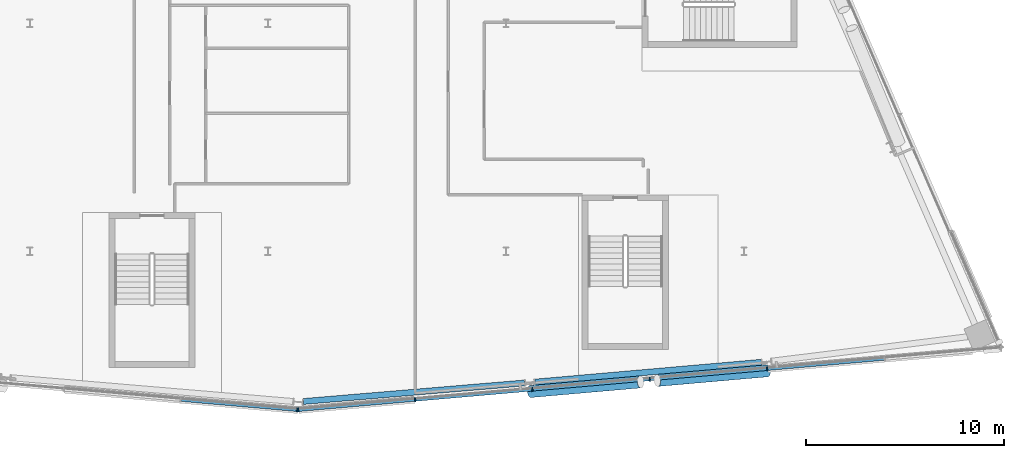
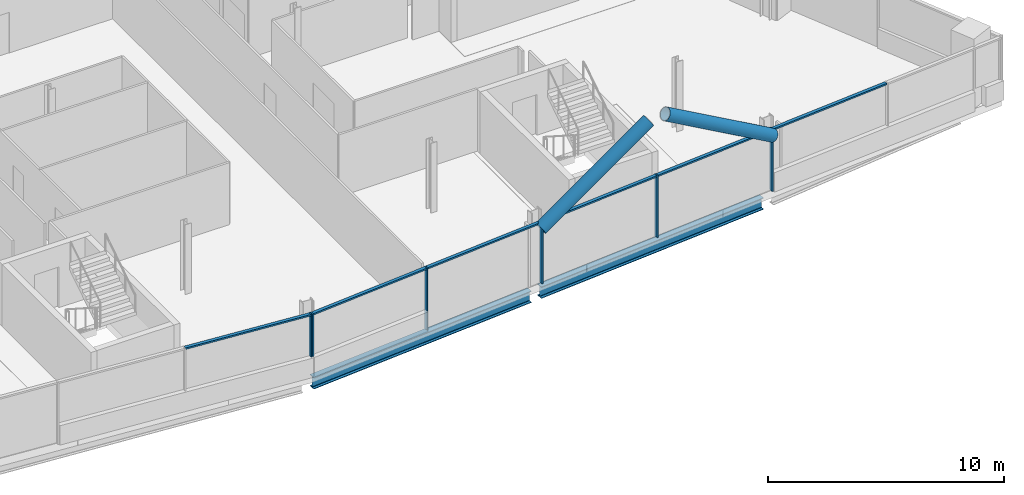
# One storey, part 8 of 25: 14 members, 2 beams, 2 elements without a shape of their own.
"""IFC4 building model written with IfcOpenShell, lengths in metres."""

import ifcopenshell
import ifcopenshell.guid

model = None  # the IFC model being written
_history = None  # IfcOwnerHistory: only IFC2X3 demands one
_inside = {}  # id of a spatial element -> (the spatial element, [elements in it])
_under = {}  # id of a project, library or spatial element -> (it, [spatial elements below it])
_declared = {}  # id of a project -> (the project, [libraries it declares])
_typed = {}  # id of a type object -> (the type object, [elements of that type])
_made_of = {}  # id of a material, layer set ... -> (it, [elements and type objects made of it])


def new_model(schema):
    """Start an empty IFC model of exactly this schema.

    Asked for "IFC4X3", IfcOpenShell would pick the latest addendum, in which some entities
    have other attributes; the version numbers below select the first issue.
    IFC2X3 requires an IfcOwnerHistory on every rooted entity: one is made here for all.
    """
    global model, _history
    if schema == "IFC4X3":
        model = ifcopenshell.file(schema_version=(4, 3, 0, 0))
    else:
        model = ifcopenshell.file(schema=schema)
    _inside.clear()
    _under.clear()
    _declared.clear()
    _typed.clear()
    _made_of.clear()
    _history = None
    if model.schema == "IFC2X3":
        org = make("IfcOrganization", Name="unknown")
        user = make(
            "IfcPersonAndOrganization",
            ThePerson=make("IfcPerson", FamilyName="unknown"),
            TheOrganization=org,
        )
        app = make(
            "IfcApplication",
            ApplicationDeveloper=org,
            Version="unknown",
            ApplicationFullName="unknown",
            ApplicationIdentifier="unknown",
        )
        _history = make(
            "IfcOwnerHistory",
            OwningUser=user,
            OwningApplication=app,
            ChangeAction="ADDED",
            CreationDate=0,
        )
    return model


def make(cls, **values):
    """One entity of the class cls with the attributes given. An attribute that is None is left unset."""
    return model.create_entity(
        cls, **{name: value for name, value in values.items() if value is not None}
    )


def rooted(cls, **values):
    """An entity with a GlobalId (a new one), such as an element, a storey or a relation."""
    return make(cls, GlobalId=ifcopenshell.guid.new(), OwnerHistory=_history, **values)


def si_unit(unit_type, name, prefix=None):
    """IfcSIUnit, for example si_unit("LENGTHUNIT", "METRE", prefix="MILLI")."""
    return make("IfcSIUnit", UnitType=unit_type, Prefix=prefix, Name=name)


def assignment(units):
    """IfcUnitAssignment: the units of a project."""
    return None if units is None else make("IfcUnitAssignment", Units=units)


def point(xyz):
    """IfcCartesianPoint."""
    return None if xyz is None else make("IfcCartesianPoint", Coordinates=xyz)


def direction(xyz):
    """IfcDirection."""
    return None if xyz is None else make("IfcDirection", DirectionRatios=xyz)


def frame(location, z_axis=None, x_axis=None):
    """IfcAxis2Placement3D, a coordinate frame: its origin and axes. An axis left out is left unset."""
    return make(
        "IfcAxis2Placement3D",
        Location=point(location),
        Axis=direction(z_axis),
        RefDirection=direction(x_axis),
    )


def frame_2d(location, x_axis=None):
    """IfcAxis2Placement2D, a coordinate frame in the plane: its origin and x axis."""
    return make(
        "IfcAxis2Placement2D", Location=point(location), RefDirection=direction(x_axis)
    )


def origin():
    """The frame at (0, 0, 0) with its axes left unset."""
    return frame((0.0, 0.0, 0.0))


def origin_2d():
    """The frame at (0, 0) in the plane with its x axis left unset."""
    return frame_2d((0.0, 0.0))


def place(relative_to, where):
    """IfcLocalPlacement: puts the frame where relative to a parent placement (None: the world)."""
    return make(
        "IfcLocalPlacement", PlacementRelTo=relative_to, RelativePlacement=where
    )


def context(
    kind, dimensions, precision=None, world=None, true_north=None, identifier=None
):
    """IfcGeometricRepresentationContext, for example the 3D "Model" context."""
    return make(
        "IfcGeometricRepresentationContext",
        ContextIdentifier=identifier,
        ContextType=kind,
        CoordinateSpaceDimension=dimensions,
        Precision=precision,
        WorldCoordinateSystem=world,
        TrueNorth=true_north,
    )


def subcontext(parent, identifier, kind, view, scale=None):
    """IfcGeometricRepresentationSubContext, for example "Body" below "Model"."""
    return make(
        "IfcGeometricRepresentationSubContext",
        ContextIdentifier=identifier,
        ContextType=kind,
        ParentContext=parent,
        TargetScale=scale,
        TargetView=view,
    )


def project(units=None, contexts=None):
    """IfcProject with its units and contexts."""
    return rooted(
        "IfcProject",
        Name="project",
        RepresentationContexts=contexts,
        UnitsInContext=assignment(units),
    )


def spatial(cls, under=None, at=None, **own):
    """A site, building, storey or space (cls), placed at a placement, below another one or the project."""
    s = rooted(cls, ObjectPlacement=at, **own)
    if under is not None:
        _under.setdefault(under.id(), (under, []))[1].append(s)
    return s


def profile(cls, at=None, kind="AREA", **sizes):
    """A parametric profile (cls). Its sizes go by their IFC names, for example OverallWidth=200.0."""
    return make(cls, ProfileType=kind, Position=at, **sizes)


def rectangle(**sizes):
    """IfcRectangleProfileDef."""
    return profile("IfcRectangleProfileDef", **sizes)


def hollow_circle(**sizes):
    """IfcCircleHollowProfileDef."""
    return profile("IfcCircleHollowProfileDef", **sizes)


def i_section(**sizes):
    """IfcIShapeProfileDef."""
    return profile("IfcIShapeProfileDef", **sizes)


def extrude(swept, where, along, depth):
    """IfcExtrudedAreaSolid: the profile swept, set in the frame where, extruded along a direction by depth."""
    return make(
        "IfcExtrudedAreaSolid",
        SweptArea=swept,
        Position=where,
        ExtrudedDirection=direction(along),
        Depth=depth,
    )


def shape(context_of_items, identifier, shape_type, items):
    """IfcShapeRepresentation: the items that make up one representation, for example the "Body"."""
    return make(
        "IfcShapeRepresentation",
        ContextOfItems=context_of_items,
        RepresentationIdentifier=identifier,
        RepresentationType=shape_type,
        Items=items,
    )


def material(Name=None, Category=None):
    """IfcMaterial."""
    return make("IfcMaterial", Name=Name, Category=Category)


def material_profile(
    of_material, cross_section, Name=None, Category=None, Priority=None
):
    """IfcMaterialProfile: a cross section and its material."""
    return make(
        "IfcMaterialProfile",
        Name=Name,
        Material=of_material,
        Profile=cross_section,
        Priority=Priority,
        Category=Category,
    )


def profile_set(profiles, Name=None, composite=None):
    """IfcMaterialProfileSet."""
    return make(
        "IfcMaterialProfileSet",
        Name=Name,
        MaterialProfiles=profiles,
        CompositeProfile=composite,
    )


def made_of(thing, what):
    """Note that an element or type object is made of a material, layer set ...; save() writes the relation."""
    if what is not None:
        _made_of.setdefault(what.id(), (what, []))[1].append(thing)
    return thing


def type_object(cls, material=None, **own):
    """A type object (cls), such as IfcWallType, which elements share."""
    return made_of(rooted(cls, **own), material)


def element(
    cls,
    number,
    at=None,
    inside=None,
    cuts=None,
    type_object=None,
    material=None,
    context=None,
    identifier="Body",
    shape_type=None,
    held_by="IfcProductDefinitionShape",
    body=None,
    shapes=None,
    **own,
):
    """One element of the class cls, such as IfcWall. Its Tag is "e" and its number.

    at: its placement. inside: the storey or other place that contains it. cuts: it is an
    opening in that element (IfcRelVoidsElement). A single representation is given by context,
    identifier, shape_type and body (its items); several are given by shapes. held_by: the class
    of the entity that holds the representations. save() writes the other relations.
    """
    e = rooted(cls, Tag="e%d" % number, ObjectPlacement=at, **own)
    if body is not None:
        shapes = [shape(context, identifier, shape_type, body)]
    if shapes is not None:
        e.Representation = make(held_by, Representations=shapes)
    if inside is not None:
        _inside.setdefault(inside.id(), (inside, []))[1].append(e)
    if cuts is not None:
        rooted(
            "IfcRelVoidsElement", RelatingBuildingElement=cuts, RelatedOpeningElement=e
        )
    if type_object is not None:
        _typed.setdefault(type_object.id(), (type_object, []))[1].append(e)
    return made_of(e, material)


def aggregate(whole, parts):
    """IfcRelAggregates: a whole, such as a stair, and the parts it consists of."""
    return rooted("IfcRelAggregates", RelatingObject=whole, RelatedObjects=parts)


def save(model, path):
    """Write the relations noted so far, then the file.

    IfcRelAggregates (storeys below a building ...), IfcRelContainedInSpatialStructure (elements
    in a storey), IfcRelDefinesByType, IfcRelAssociatesMaterial and IfcRelDeclares: one each for
    every whole, place, type object, material and project.
    """
    for whole, parts in _under.values():
        aggregate(whole, parts)
    for where, things in _inside.values():
        rooted(
            "IfcRelContainedInSpatialStructure",
            RelatedElements=things,
            RelatingStructure=where,
        )
    for kind, things in _typed.values():
        rooted("IfcRelDefinesByType", RelatedObjects=things, RelatingType=kind)
    for what, things in _made_of.values():
        rooted("IfcRelAssociatesMaterial", RelatedObjects=things, RelatingMaterial=what)
    for by, libraries in _declared.values():
        rooted("IfcRelDeclares", RelatingContext=by, RelatedDefinitions=libraries)
    model.write(path)


model = new_model("IFC4")

# Units and contexts
model_context = context("Model", 3, precision=1e-05, world=origin(), true_north=direction((0.0, 1.0)))
body_context = subcontext(model_context, "Body", "Model", "MODEL_VIEW")
ifc_project = project(units=[si_unit("LENGTHUNIT", "METRE"), si_unit("AREAUNIT", "SQUARE_METRE"), si_unit("VOLUMEUNIT", "CUBIC_METRE"), si_unit("PLANEANGLEUNIT", "RADIAN"), si_unit("MASSUNIT", "GRAM", prefix="KILO")], contexts=[model_context])

# Site, building, storey
site_placement = place(None, origin())
site = spatial("IfcSite", under=ifc_project, at=site_placement, CompositionType="ELEMENT")
building_placement = place(site_placement, origin())
building = spatial("IfcBuilding", under=site, at=building_placement, Name="Wharfspan Tower", CompositionType="ELEMENT")
storey_placement = place(building_placement, frame((0.0, 0.0, 232.300049)))
storey = spatial("IfcBuildingStorey", under=building, at=storey_placement, Name="L58", CompositionType="ELEMENT", Elevation=232.300049)

# Beams
ifc_material_1 = material(Name="Steel S355J2", Category="steel")
ifc_material_profile_1 = material_profile(ifc_material_1, i_section(OverallWidth=0.300049, OverallDepth=0.600098, WebThickness=0.015381, FlangeThickness=0.030029, FilletRadius=0.0271, at=origin_2d()))
ifc_profile_set_1 = profile_set([ifc_material_profile_1], Name="Steel S355J2")
beam_type = type_object("IfcBeamType", Name="Edge beam HEB 600", PredefinedType="SPANDREL", material=ifc_profile_set_1)
beam_1_placement = place(storey_placement, frame((49.783691, 3.923828, -0.699951), z_axis=(0.996517, 0.083395, 0.0), x_axis=(-0.083395, 0.996517, 0.0)))
element("IfcBeam", 1, at=beam_1_placement, inside=storey, type_object=beam_type, Name="Edge beam S2 L58 PS1.3 to PS2.1", PredefinedType="SPANDREL", context=body_context, shape_type="SweptSolid", body=[
    extrude(i_section(OverallWidth=0.300049, OverallDepth=0.600098, WebThickness=0.015381, FlangeThickness=0.030029, FilletRadius=0.0271, at=origin_2d()), origin(), (0.0, 0.0, 1.0), 11.200684),
])
beam_2_placement = place(storey_placement, frame((61.459473, 4.901855, -0.699951), z_axis=(0.996195, 0.087157, 0.0), x_axis=(-0.087157, 0.996195, 0.0)))
element("IfcBeam", 2, at=beam_2_placement, inside=storey, type_object=beam_type, Name="Edge beam S2 L58 PS2.1 to PS2.2", PredefinedType="SPANDREL", context=body_context, shape_type="SweptSolid", body=[
    extrude(i_section(OverallWidth=0.300049, OverallDepth=0.600098, WebThickness=0.015381, FlangeThickness=0.030029, FilletRadius=0.0271, at=origin_2d()), origin(), (0.0, 0.0, 1.0), 11.462402),
])

# Curtain wall, member
ifc_material_2 = material(Name="Aluminium 6063-T6", Category="aluminium")
curtain_wall_type = type_object("IfcCurtainWallType", Name="CURTAIN WALL FACETED FRONT", PredefinedType="NOTDEFINED", material=ifc_material_2)
curtain_wall_1_placement = place(storey_placement, origin())
curtain_wall_1 = element("IfcCurtainWall", 3, at=curtain_wall_1_placement, inside=storey, type_object=curtain_wall_type, Name="Curtain wall S1", PredefinedType="NOTDEFINED")
ifc_material_profile_2 = material_profile(ifc_material_2, rectangle(XDim=0.199951, YDim=0.060059, at=origin_2d()))
ifc_profile_set_2 = profile_set([ifc_material_profile_2], Name="Aluminium 6063-T6")
member_type_1 = type_object("IfcMemberType", Name="MULLION FACETED FRONT 60x200", PredefinedType="MULLION", material=ifc_profile_set_2)
member_1_placement = place(storey_placement, frame((49.470215, 3.496826, 1.0), z_axis=(0.0, 0.0, 1.0), x_axis=(0.087156, 0.996197, 0.0)))
member_1 = element("IfcMember", 4, at=member_1_placement, type_object=member_type_1, Name="Curtain wall S1 mullion 6", PredefinedType="MULLION", context=body_context, shape_type="SweptSolid", body=[
    extrude(rectangle(XDim=0.199951, YDim=0.060059, at=origin_2d()), origin(), (0.0, 0.0, 1.0), 2.199951),
])

# Curtain wall, members
curtain_wall_2_placement = place(storey_placement, origin())
curtain_wall_2 = element("IfcCurtainWall", 5, at=curtain_wall_2_placement, inside=storey, type_object=curtain_wall_type, Name="Curtain wall S2", PredefinedType="NOTDEFINED")
member_2_placement = place(storey_placement, frame((49.529785, 3.496826, 1.0), z_axis=(0.0, 0.0, 1.0), x_axis=(-0.087156, 0.996197, 0.0)))
member_2 = element("IfcMember", 6, at=member_2_placement, type_object=member_type_1, Name="Curtain wall S2 mullion 1", PredefinedType="MULLION", context=body_context, shape_type="SweptSolid", body=[
    extrude(rectangle(XDim=0.199951, YDim=0.060059, at=origin_2d()), origin(), (0.0, 0.0, 1.0), 2.199951),
])
member_3_placement = place(storey_placement, frame((55.416748, 4.011719, 0.0), z_axis=(0.0, 0.0, 1.0), x_axis=(-0.087156, 0.996197, 0.0)))
member_3 = element("IfcMember", 7, at=member_3_placement, type_object=member_type_1, Name="Curtain wall S2 mullion 2", PredefinedType="MULLION", context=body_context, shape_type="SweptSolid", body=[
    extrude(rectangle(XDim=0.199951, YDim=0.060059, at=origin_2d()), origin(), (0.0, 0.0, 1.0), 3.199951),
])
member_4_placement = place(storey_placement, frame((61.333252, 4.529541, 0.0), z_axis=(0.0, 0.0, 1.0), x_axis=(-0.087156, 0.996197, 0.0)))
member_4 = element("IfcMember", 8, at=member_4_placement, type_object=member_type_1, Name="Curtain wall S2 mullion 3", PredefinedType="MULLION", context=body_context, shape_type="SweptSolid", body=[
    extrude(rectangle(XDim=0.199951, YDim=0.060059, at=origin_2d()), origin(), (0.0, 0.0, 1.0), 3.199951),
])
member_5_placement = place(storey_placement, frame((67.25, 5.047119, 0.0), z_axis=(0.0, 0.0, 1.0), x_axis=(-0.087156, 0.996197, 0.0)))
member_5 = element("IfcMember", 9, at=member_5_placement, type_object=member_type_1, Name="Curtain wall S2 mullion 4", PredefinedType="MULLION", context=body_context, shape_type="SweptSolid", body=[
    extrude(rectangle(XDim=0.199951, YDim=0.060059, at=origin_2d()), origin(), (0.0, 0.0, 1.0), 3.199951),
])
member_6_placement = place(storey_placement, frame((73.166748, 5.564697, 0.0), z_axis=(0.0, 0.0, 1.0), x_axis=(-0.087156, 0.996197, 0.0)))
member_6 = element("IfcMember", 10, at=member_6_placement, type_object=member_type_1, Name="Curtain wall S2 mullion 5", PredefinedType="MULLION", context=body_context, shape_type="SweptSolid", body=[
    extrude(rectangle(XDim=0.199951, YDim=0.060059, at=origin_2d()), origin(), (0.0, 0.0, 1.0), 3.199951),
])

# Members
ifc_material_3 = material(Name="Steel S460NH", Category="steel")
ifc_material_profile_3 = material_profile(ifc_material_3, hollow_circle(Radius=0.304932, WallThickness=0.024902, at=origin_2d()))
ifc_profile_set_3 = profile_set([ifc_material_profile_3], Name="Steel S460NH")
member_type_2 = type_object("IfcMemberType", Name="Mega brace CHS 610x25", PredefinedType="BRACE", material=ifc_profile_set_3)
for number, where, z_axis, x_axis, name in (
    (11, (61.241943, 4.426025, 2.899902), (0.853829, 0.074698, 0.515166), (-0.087155, 0.996197, 3e-06), "Mega brace S2 L59 part 1"),
    (12, (73.175049, 5.469971, 2.899902), (-0.853829, -0.074698, 0.515166), (0.087155, -0.996197, 3e-06), "Mega brace S2 L59 part 3"),
):
    element("IfcMember", number, at=place(storey_placement, frame(where, z_axis=z_axis, x_axis=x_axis)), inside=storey, type_object=member_type_2, Name=name, PredefinedType="BRACE", context=body_context, shape_type="SweptSolid", body=[
        extrude(hollow_circle(Radius=0.304932, WallThickness=0.024902, at=origin_2d()), origin(), (0.0, 0.0, 1.0), 6.484375),
    ])

# Member
ifc_material_profile_4 = material_profile(ifc_material_2, rectangle(XDim=0.159912, YDim=0.080078, at=origin_2d()))
ifc_profile_set_4 = profile_set([ifc_material_profile_4], Name="Aluminium 6063-T6")
member_type_3 = type_object("IfcMemberType", Name="TRANSOM FACETED FRONT 80x160", PredefinedType="USERDEFINED", material=ifc_profile_set_4)
member_7_placement = place(storey_placement, frame((43.629883, 4.007812, 3.159912), z_axis=(0.996192, -0.087191, 0.0), x_axis=(0.087191, 0.996192, 0.0)))
member_7 = element("IfcMember", 13, at=member_7_placement, type_object=member_type_3, Name="Curtain wall S1 transom 5", ObjectType="TRANSOM", PredefinedType="USERDEFINED", context=body_context, shape_type="SweptSolid", body=[
    extrude(rectangle(XDim=0.159912, YDim=0.080078, at=origin_2d()), origin(), (0.0, 0.0, 1.0), 5.83252),
])

aggregate(curtain_wall_1, [member_1, member_7])

member_8_placement = place(storey_placement, frame((49.559814, 3.499268, 3.159912), z_axis=(0.996191, 0.087193, 0.0), x_axis=(-0.087193, 0.996191, 0.0)))
member_8 = element("IfcMember", 14, at=member_8_placement, type_object=member_type_3, Name="Curtain wall S2 transom 1", ObjectType="TRANSOM", PredefinedType="USERDEFINED", context=body_context, shape_type="SweptSolid", body=[
    extrude(rectangle(XDim=0.159912, YDim=0.080078, at=origin_2d()), origin(), (0.0, 0.0, 1.0), 5.849121),
])

member_9_placement = place(storey_placement, frame((55.446533, 4.014404, 3.159912), z_axis=(0.996194, 0.087162, 0.0), x_axis=(-0.087162, 0.996194, 0.0)))
member_9 = element("IfcMember", 15, at=member_9_placement, type_object=member_type_3, Name="Curtain wall S2 transom 2", ObjectType="TRANSOM", PredefinedType="USERDEFINED", context=body_context, shape_type="SweptSolid", body=[
    extrude(rectangle(XDim=0.159912, YDim=0.080078, at=origin_2d()), origin(), (0.0, 0.0, 1.0), 5.879395),
])

member_10_placement = place(storey_placement, frame((61.363281, 4.531982, 3.159912), z_axis=(0.996194, 0.087162, 0.0), x_axis=(-0.087162, 0.996194, 0.0)))
member_10 = element("IfcMember", 16, at=member_10_placement, type_object=member_type_3, Name="Curtain wall S2 transom 3", ObjectType="TRANSOM", PredefinedType="USERDEFINED", context=body_context, shape_type="SweptSolid", body=[
    extrude(rectangle(XDim=0.159912, YDim=0.080078, at=origin_2d()), origin(), (0.0, 0.0, 1.0), 5.879395),
])

member_11_placement = place(storey_placement, frame((67.279785, 5.049805, 3.159912), z_axis=(0.996198, 0.087121, 0.0), x_axis=(-0.087121, 0.996198, 0.0)))
member_11 = element("IfcMember", 17, at=member_11_placement, type_object=member_type_3, Name="Curtain wall S2 transom 4", ObjectType="TRANSOM", PredefinedType="USERDEFINED", context=body_context, shape_type="SweptSolid", body=[
    extrude(rectangle(XDim=0.159912, YDim=0.080078, at=origin_2d()), origin(), (0.0, 0.0, 1.0), 5.879395),
])

member_12_placement = place(storey_placement, frame((73.196533, 5.567383, 3.159912), z_axis=(0.996194, 0.087162, 0.0), x_axis=(-0.087162, 0.996194, 0.0)))
member_12 = element("IfcMember", 18, at=member_12_placement, type_object=member_type_3, Name="Curtain wall S2 transom 5", ObjectType="TRANSOM", PredefinedType="USERDEFINED", context=body_context, shape_type="SweptSolid", body=[
    extrude(rectangle(XDim=0.159912, YDim=0.080078, at=origin_2d()), origin(), (0.0, 0.0, 1.0), 5.879395),
])

aggregate(curtain_wall_2, [member_2, member_3, member_4, member_5, member_6, member_8, member_9, member_10, member_11, member_12])

save(model, "model.ifc")
